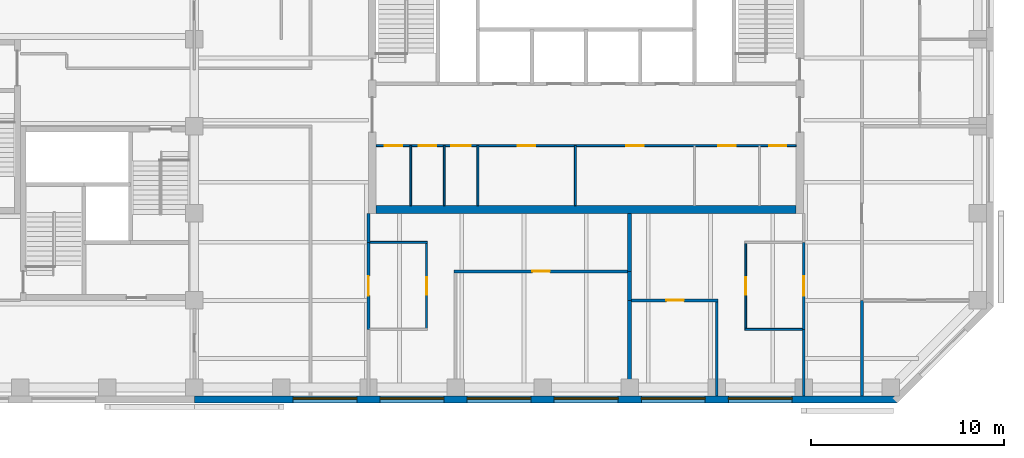
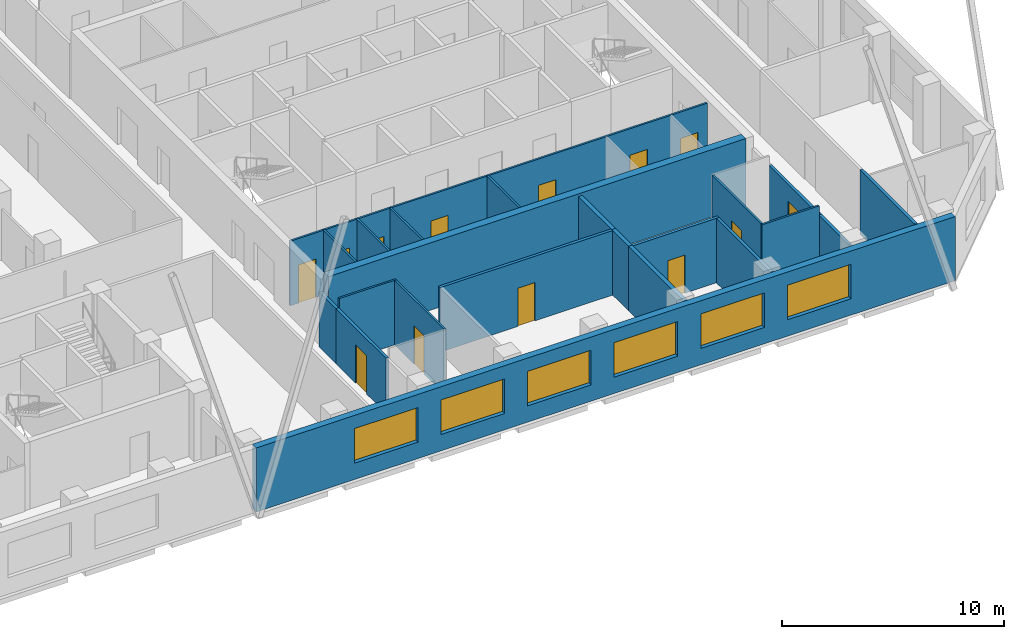
# One storey, part 4 of 9: 22 walls, 13 doors, 6 windows, 19 openings.
"""IFC4 building model written with IfcOpenShell, lengths in metres."""

from ifc_helpers import new_model, si_unit, direction, frame, frame_2d, origin, place, context, subcontext, project, spatial, rectangle, extrude, material, layer, layer_set, constituent, constituent_set, type_object, element, fill, save


model = new_model("IFC4")

# Units and contexts
model_context = context("Model", 3, precision=1e-05, world=origin(), true_north=direction((0.0, 1.0)))
body_context = subcontext(model_context, "Body", "Model", "MODEL_VIEW")
ifc_project = project(units=[si_unit("LENGTHUNIT", "METRE"), si_unit("AREAUNIT", "SQUARE_METRE"), si_unit("VOLUMEUNIT", "CUBIC_METRE"), si_unit("PLANEANGLEUNIT", "RADIAN"), si_unit("MASSUNIT", "GRAM", prefix="KILO")], contexts=[model_context])

# Site, building, storey
site_placement = place(None, origin())
site = spatial("IfcSite", under=ifc_project, at=site_placement, CompositionType="ELEMENT")
building_placement = place(site_placement, origin())
building = spatial("IfcBuilding", under=site, at=building_placement, Name="Quoin Convention Tower", CompositionType="ELEMENT")
storey_placement = place(building_placement, frame((0.0, 0.0, 219.300048828125)))
storey = spatial("IfcBuildingStorey", under=building, at=storey_placement, Name="L57", CompositionType="ELEMENT", Elevation=219.300048828125)

# Wall, opening, door
ifc_material_1 = material(Name="Plasterboard")
ifc_layer_1 = layer(ifc_material_1, 0.012451171875, Name="Finish")
ifc_material_2 = material(Name="Steel stud framing", Category="steel")
ifc_layer_2 = layer(ifc_material_2, 0.125, Name="Structure")
ifc_layer_3 = layer(ifc_material_1, 0.012451171875, Name="Finish")
ifc_layer_set_1 = layer_set([ifc_layer_1, ifc_layer_2, ifc_layer_3], Name="Steel stud framing")
wall_type_1 = type_object("IfcWallType", Name="Acoustic partition 150", PredefinedType="PARTITIONING", material=ifc_layer_set_1)
wall_1_placement = place(storey_placement, frame((58.60009765625, 45.0, 0.0), z_axis=(0.0, 0.0, 1.0), x_axis=(1.0, 0.0, 0.0)))
wall_1 = element("IfcWall", 1, at=wall_1_placement, inside=storey, type_object=wall_type_1, Name="pw-L57-005", PredefinedType="PARTITIONING", context=body_context, shape_type="SweptSolid", body=[
    extrude(rectangle(XDim=4.474853515625, YDim=0.14990234375, at=frame_2d((2.2373046875, 0.0))), origin(), (0.0, 0.0, 1.0), 3.550048828125),
])
opening_1_placement = place(wall_1_placement, frame((1.800048828125, 0.0, 0.0)))
opening_1 = element("IfcOpeningElement", 2, at=opening_1_placement, cuts=wall_1, Name="Opening DOH9-01", PredefinedType="OPENING", context=body_context, shape_type="SweptSolid", body=[
    extrude(rectangle(XDim=0.89990234375, YDim=2.10009765625, at=frame_2d((0.449951171875, 1.050048828125))), frame((0.0, 0.0849609375, 0.0), z_axis=(0.0, -1.0, 0.0), x_axis=(1.0, 0.0, 0.0)), (0.0, 0.0, 1.0), 0.169921875),
])
ifc_material_3 = material(Name="Steel door leaf", Category="steel")
door_type_1 = type_object("IfcDoorType", Name="Office door 900 x 2100", OperationType="SINGLE_SWING_RIGHT", PredefinedType="DOOR", material=ifc_material_3)
door_1_placement = place(opening_1_placement, origin())
door_1 = element("IfcDoor", 3, at=door_1_placement, inside=storey, type_object=door_type_1, Name="dr-L57-12", OperationType="SINGLE_SWING_RIGHT", OverallHeight=2.10009765625, OverallWidth=0.89990234375, PredefinedType="DOOR", context=body_context, shape_type="SweptSolid", body=[
    extrude(rectangle(XDim=0.89990234375, YDim=2.10009765625, at=frame_2d((0.449951171875, 1.050048828125))), frame((0.0, 0.02490234375, 0.0), z_axis=(0.0, -1.0, 0.0), x_axis=(1.0, 0.0, 0.0)), (0.0, 0.0, 1.0), 0.050048828125),
])
fill(opening_1, door_1)

wall_2_placement = place(storey_placement, frame((49.425048828125, 46.5, 0.0), z_axis=(0.0, 0.0, 1.0), x_axis=(1.0, 0.0, 0.0)))
wall_2 = element("IfcWall", 4, at=wall_2_placement, inside=storey, type_object=wall_type_1, Name="pw-L57-008", PredefinedType="PARTITIONING", context=body_context, shape_type="SweptSolid", body=[
    extrude(rectangle(XDim=8.974853515625, YDim=0.14990234375, at=frame_2d((4.4873046875, 0.0))), origin(), (0.0, 0.0, 1.0), 3.550048828125),
])
opening_2_placement = place(wall_2_placement, frame((4.050048828125, 0.0, 0.0)))
opening_2 = element("IfcOpeningElement", 5, at=opening_2_placement, cuts=wall_2, Name="Opening DOH9-03", PredefinedType="OPENING", context=body_context, shape_type="SweptSolid", body=[
    extrude(rectangle(XDim=0.89990234375, YDim=2.10009765625, at=frame_2d((0.449951171875, 1.050048828125))), frame((0.0, 0.0849609375, 0.0), z_axis=(0.0, -1.0, 0.0), x_axis=(1.0, 0.0, 0.0)), (0.0, 0.0, 1.0), 0.169921875),
])
door_2_placement = place(opening_2_placement, frame((0.89990234375, 0.0, 0.0), z_axis=(0.0, 0.0, 1.0), x_axis=(-1.0, 0.0, 0.0)))
door_2 = element("IfcDoor", 6, at=door_2_placement, inside=storey, type_object=door_type_1, Name="dr-L57-09", OperationType="SINGLE_SWING_RIGHT", OverallHeight=2.10009765625, OverallWidth=0.89990234375, PredefinedType="DOOR", context=body_context, shape_type="SweptSolid", body=[
    extrude(rectangle(XDim=0.89990234375, YDim=2.10009765625, at=frame_2d((0.449951171875, 1.050048828125))), frame((0.0, 0.02490234375, 0.0), z_axis=(0.0, -1.0, 0.0), x_axis=(1.0, 0.0, 0.0)), (0.0, 0.0, 1.0), 0.050048828125),
])
fill(opening_2, door_2)

# Wall
wall_3_placement = place(storey_placement, frame((63.0, 40.050048828125, 0.0), z_axis=(0.0, 0.0, 1.0), x_axis=(0.0, 1.0, 0.0)))
element("IfcWall", 7, at=wall_3_placement, inside=storey, type_object=wall_type_1, Name="pw-L57-030", PredefinedType="PARTITIONING", context=body_context, shape_type="SweptSolid", body=[
    extrude(rectangle(XDim=4.875, YDim=0.14990234375, at=frame_2d((2.4375, 0.0))), origin(), (0.0, 0.0, 1.0), 3.550048828125),
])

# Wall, openings, windows
ifc_material_4 = material(Name="Brick masonry", Category="masonry")
ifc_layer_4 = layer(ifc_material_4, 0.35009765625)
ifc_layer_set_2 = layer_set([ifc_layer_4], Name="Brick masonry")
wall_type_2 = type_object("IfcWallType", Name="Brick facade wall", PredefinedType="STANDARD", material=ifc_layer_set_2)
wall_4_placement = place(storey_placement, frame((36.0, 39.875, 0.0), z_axis=(0.0, 0.0, 1.0), x_axis=(1.0, 0.0, 0.0)))
wall_4 = element("IfcWall", 8, at=wall_4_placement, inside=storey, type_object=wall_type_2, Name="fw-L57-36000_40500", PredefinedType="STANDARD", context=body_context, shape_type="SweptSolid", body=[
    extrude(rectangle(XDim=36.331298828125, YDim=0.35009765625, at=frame_2d((18.16552734375, 0.0))), origin(), (0.0, 0.0, 1.0), 3.52490234375),
])
opening_3_placement = place(wall_4_placement, frame((5.10009765625, 0.0, 0.89990234375)))
opening_3 = element("IfcOpeningElement", 9, at=opening_3_placement, cuts=wall_4, Name="Opening W-02", PredefinedType="OPENING", context=body_context, shape_type="SweptSolid", body=[
    extrude(rectangle(XDim=3.300048828125, YDim=1.89990234375, at=frame_2d((1.64990234375, 0.949951171875))), frame((0.0, 0.18505859375, 0.0), z_axis=(0.0, -1.0, 0.0), x_axis=(1.0, 0.0, 0.0)), (0.0, 0.0, 1.0), 0.3701171875),
])
opening_4_placement = place(wall_4_placement, frame((9.60009765625, 0.0, 0.89990234375)))
opening_4 = element("IfcOpeningElement", 10, at=opening_4_placement, cuts=wall_4, Name="Opening W-02", PredefinedType="OPENING", context=body_context, shape_type="SweptSolid", body=[
    extrude(rectangle(XDim=3.300048828125, YDim=1.89990234375, at=frame_2d((1.64990234375, 0.949951171875))), frame((0.0, 0.18505859375, 0.0), z_axis=(0.0, -1.0, 0.0), x_axis=(1.0, 0.0, 0.0)), (0.0, 0.0, 1.0), 0.3701171875),
])
opening_5_placement = place(wall_4_placement, frame((14.10009765625, 0.0, 0.89990234375)))
opening_5 = element("IfcOpeningElement", 11, at=opening_5_placement, cuts=wall_4, Name="Opening W-02", PredefinedType="OPENING", context=body_context, shape_type="SweptSolid", body=[
    extrude(rectangle(XDim=3.300048828125, YDim=1.89990234375, at=frame_2d((1.64990234375, 0.949951171875))), frame((0.0, 0.18505859375, 0.0), z_axis=(0.0, -1.0, 0.0), x_axis=(1.0, 0.0, 0.0)), (0.0, 0.0, 1.0), 0.3701171875),
])
opening_6_placement = place(wall_4_placement, frame((18.60009765625, 0.0, 0.89990234375)))
opening_6 = element("IfcOpeningElement", 12, at=opening_6_placement, cuts=wall_4, Name="Opening W-02", PredefinedType="OPENING", context=body_context, shape_type="SweptSolid", body=[
    extrude(rectangle(XDim=3.300048828125, YDim=1.89990234375, at=frame_2d((1.64990234375, 0.949951171875))), frame((0.0, 0.18505859375, 0.0), z_axis=(0.0, -1.0, 0.0), x_axis=(1.0, 0.0, 0.0)), (0.0, 0.0, 1.0), 0.3701171875),
])
opening_7_placement = place(wall_4_placement, frame((23.10009765625, 0.0, 0.89990234375)))
opening_7 = element("IfcOpeningElement", 13, at=opening_7_placement, cuts=wall_4, Name="Opening W-02", PredefinedType="OPENING", context=body_context, shape_type="SweptSolid", body=[
    extrude(rectangle(XDim=3.300048828125, YDim=1.89990234375, at=frame_2d((1.64990234375, 0.949951171875))), frame((0.0, 0.18505859375, 0.0), z_axis=(0.0, -1.0, 0.0), x_axis=(1.0, 0.0, 0.0)), (0.0, 0.0, 1.0), 0.3701171875),
])
opening_8_placement = place(wall_4_placement, frame((27.60009765625, 0.0, 0.89990234375)))
opening_8 = element("IfcOpeningElement", 14, at=opening_8_placement, cuts=wall_4, Name="Opening W-02", PredefinedType="OPENING", context=body_context, shape_type="SweptSolid", body=[
    extrude(rectangle(XDim=3.300048828125, YDim=1.89990234375, at=frame_2d((1.64990234375, 0.949951171875))), frame((0.0, 0.18505859375, 0.0), z_axis=(0.0, -1.0, 0.0), x_axis=(1.0, 0.0, 0.0)), (0.0, 0.0, 1.0), 0.3701171875),
])
ifc_material_5 = material(Name="Aluminium", Category="aluminium")
ifc_constituent_1 = constituent(ifc_material_5, Name="Frame")
ifc_material_6 = material(Name="Insulated glass", Category="glass")
ifc_constituent_2 = constituent(ifc_material_6, Name="Glazing")
ifc_constituent_set = constituent_set(constituents=[ifc_constituent_1, ifc_constituent_2], Name="Aluminium")
window_type = type_object("IfcWindowType", Name="Office window", PartitioningType="DOUBLE_PANEL_VERTICAL", PredefinedType="WINDOW", material=ifc_constituent_set)
window_1_placement = place(opening_3_placement, origin())
window_1 = element("IfcWindow", 15, at=window_1_placement, inside=storey, type_object=window_type, Name="win-L57-42750_39875", OverallHeight=1.89990234375, OverallWidth=3.300048828125, PartitioningType="SINGLE_PANEL", PredefinedType="WINDOW", context=body_context, shape_type="SweptSolid", body=[
    extrude(rectangle(XDim=3.300048828125, YDim=1.89990234375, at=frame_2d((1.64990234375, 0.949951171875))), frame((0.0, 0.0849609375, 0.0), z_axis=(0.0, -1.0, 0.0), x_axis=(1.0, 0.0, 0.0)), (0.0, 0.0, 1.0), 0.06005859375),
])
fill(opening_3, window_1)
window_2_placement = place(opening_4_placement, origin())
window_2 = element("IfcWindow", 16, at=window_2_placement, inside=storey, type_object=window_type, Name="win-L57-47250_39875", OverallHeight=1.89990234375, OverallWidth=3.300048828125, PartitioningType="SINGLE_PANEL", PredefinedType="WINDOW", context=body_context, shape_type="SweptSolid", body=[
    extrude(rectangle(XDim=3.300048828125, YDim=1.89990234375, at=frame_2d((1.64990234375, 0.949951171875))), frame((0.0, 0.0849609375, 0.0), z_axis=(0.0, -1.0, 0.0), x_axis=(1.0, 0.0, 0.0)), (0.0, 0.0, 1.0), 0.06005859375),
])
fill(opening_4, window_2)
window_3_placement = place(opening_5_placement, origin())
window_3 = element("IfcWindow", 17, at=window_3_placement, inside=storey, type_object=window_type, Name="win-L57-51750_39875", OverallHeight=1.89990234375, OverallWidth=3.300048828125, PartitioningType="SINGLE_PANEL", PredefinedType="WINDOW", context=body_context, shape_type="SweptSolid", body=[
    extrude(rectangle(XDim=3.300048828125, YDim=1.89990234375, at=frame_2d((1.64990234375, 0.949951171875))), frame((0.0, 0.0849609375, 0.0), z_axis=(0.0, -1.0, 0.0), x_axis=(1.0, 0.0, 0.0)), (0.0, 0.0, 1.0), 0.06005859375),
])
fill(opening_5, window_3)
window_4_placement = place(opening_6_placement, origin())
window_4 = element("IfcWindow", 18, at=window_4_placement, inside=storey, type_object=window_type, Name="win-L57-56250_39875", OverallHeight=1.89990234375, OverallWidth=3.300048828125, PartitioningType="SINGLE_PANEL", PredefinedType="WINDOW", context=body_context, shape_type="SweptSolid", body=[
    extrude(rectangle(XDim=3.300048828125, YDim=1.89990234375, at=frame_2d((1.64990234375, 0.949951171875))), frame((0.0, 0.0849609375, 0.0), z_axis=(0.0, -1.0, 0.0), x_axis=(1.0, 0.0, 0.0)), (0.0, 0.0, 1.0), 0.06005859375),
])
fill(opening_6, window_4)
window_5_placement = place(opening_7_placement, origin())
window_5 = element("IfcWindow", 19, at=window_5_placement, inside=storey, type_object=window_type, Name="win-L57-60750_39875", OverallHeight=1.89990234375, OverallWidth=3.300048828125, PartitioningType="SINGLE_PANEL", PredefinedType="WINDOW", context=body_context, shape_type="SweptSolid", body=[
    extrude(rectangle(XDim=3.300048828125, YDim=1.89990234375, at=frame_2d((1.64990234375, 0.949951171875))), frame((0.0, 0.0849609375, 0.0), z_axis=(0.0, -1.0, 0.0), x_axis=(1.0, 0.0, 0.0)), (0.0, 0.0, 1.0), 0.06005859375),
])
fill(opening_7, window_5)
window_6_placement = place(opening_8_placement, origin())
window_6 = element("IfcWindow", 20, at=window_6_placement, inside=storey, type_object=window_type, Name="win-L57-65250_39875", OverallHeight=1.89990234375, OverallWidth=3.300048828125, PartitioningType="SINGLE_PANEL", PredefinedType="WINDOW", context=body_context, shape_type="SweptSolid", body=[
    extrude(rectangle(XDim=3.300048828125, YDim=1.89990234375, at=frame_2d((1.64990234375, 0.949951171875))), frame((0.0, 0.0849609375, 0.0), z_axis=(0.0, -1.0, 0.0), x_axis=(1.0, 0.0, 0.0)), (0.0, 0.0, 1.0), 0.06005859375),
])
fill(opening_8, window_6)

# Wall, openings, doors
ifc_layer_5 = layer(ifc_material_1, 0.012451171875, Name="Finish")
ifc_layer_6 = layer(ifc_material_2, 0.074951171875, Name="Structure")
ifc_layer_7 = layer(ifc_material_1, 0.012451171875, Name="Finish")
ifc_layer_set_3 = layer_set([ifc_layer_5, ifc_layer_6, ifc_layer_7], Name="Steel stud framing")
wall_type_3 = type_object("IfcWallType", Name="Core partition wall", PredefinedType="PARTITIONING", material=ifc_layer_set_3)
wall_5_placement = place(storey_placement, frame((45.39990234375, 53.0, 0.0), z_axis=(0.0, 0.0, 1.0), x_axis=(1.0, 0.0, 0.0)))
wall_5 = element("IfcWall", 21, at=wall_5_placement, inside=storey, type_object=wall_type_3, Name="cr-C1-L57-h3500_400", PredefinedType="PARTITIONING", context=body_context, shape_type="SweptSolid", body=[
    extrude(rectangle(XDim=21.7001953125, YDim=0.10009765625, at=frame_2d((10.85009765625, 0.0))), origin(), (0.0, 0.0, 1.0), 3.550048828125),
])
opening_9_placement = place(wall_5_placement, frame((20.304931640625, 0.0, 0.0)))
opening_9 = element("IfcOpeningElement", 22, at=opening_9_placement, cuts=wall_5, Name="Opening DCV1-36", PredefinedType="OPENING", context=body_context, shape_type="SweptSolid", body=[
    extrude(rectangle(XDim=0.89990234375, YDim=2.10009765625, at=frame_2d((0.449951171875, 1.050048828125))), frame((0.0, 0.06005859375, 0.0), z_axis=(0.0, -1.0, 0.0), x_axis=(1.0, 0.0, 0.0)), (0.0, 0.0, 1.0), 0.1201171875),
])
opening_10_placement = place(wall_5_placement, frame((17.679931640625, 0.0, 0.0)))
opening_10 = element("IfcOpeningElement", 23, at=opening_10_placement, cuts=wall_5, Name="Opening DCV1-35", PredefinedType="OPENING", context=body_context, shape_type="SweptSolid", body=[
    extrude(rectangle(XDim=0.89990234375, YDim=2.10009765625, at=frame_2d((0.449951171875, 1.050048828125))), frame((0.0, 0.06005859375, 0.0), z_axis=(0.0, -1.0, 0.0), x_axis=(1.0, 0.0, 0.0)), (0.0, 0.0, 1.0), 0.1201171875),
])
opening_11_placement = place(wall_5_placement, frame((0.4423828125, 0.0, 0.0)))
opening_11 = element("IfcOpeningElement", 24, at=opening_11_placement, cuts=wall_5, Name="Opening DCV1-27", PredefinedType="OPENING", context=body_context, shape_type="SweptSolid", body=[
    extrude(rectangle(XDim=0.89990234375, YDim=2.10009765625, at=frame_2d((0.449951171875, 1.050048828125))), frame((0.0, 0.06005859375, 0.0), z_axis=(0.0, -1.0, 0.0), x_axis=(1.0, 0.0, 0.0)), (0.0, 0.0, 1.0), 0.1201171875),
])
opening_12_placement = place(wall_5_placement, frame((2.201416015625, 0.0, 0.0)))
opening_12 = element("IfcOpeningElement", 25, at=opening_12_placement, cuts=wall_5, Name="Opening DCV1-28", PredefinedType="OPENING", context=body_context, shape_type="SweptSolid", body=[
    extrude(rectangle(XDim=0.89990234375, YDim=2.10009765625, at=frame_2d((0.449951171875, 1.050048828125))), frame((0.0, 0.06005859375, 0.0), z_axis=(0.0, -1.0, 0.0), x_axis=(1.0, 0.0, 0.0)), (0.0, 0.0, 1.0), 0.1201171875),
])
opening_13_placement = place(wall_5_placement, frame((3.8837890625, 0.0, 0.0)))
opening_13 = element("IfcOpeningElement", 26, at=opening_13_placement, cuts=wall_5, Name="Opening DCV1-29", PredefinedType="OPENING", context=body_context, shape_type="SweptSolid", body=[
    extrude(rectangle(XDim=1.0, YDim=2.10009765625, at=frame_2d((0.5, 1.050048828125))), frame((0.0, 0.06005859375, 0.0), z_axis=(0.0, -1.0, 0.0), x_axis=(1.0, 0.0, 0.0)), (0.0, 0.0, 1.0), 0.1201171875),
])
opening_14_placement = place(wall_5_placement, frame((7.320068359375, 0.0, 0.0)))
opening_14 = element("IfcOpeningElement", 27, at=opening_14_placement, cuts=wall_5, Name="Opening DCV1-31", PredefinedType="OPENING", context=body_context, shape_type="SweptSolid", body=[
    extrude(rectangle(XDim=0.89990234375, YDim=2.10009765625, at=frame_2d((0.449951171875, 1.050048828125))), frame((0.0, 0.06005859375, 0.0), z_axis=(0.0, -1.0, 0.0), x_axis=(1.0, 0.0, 0.0)), (0.0, 0.0, 1.0), 0.1201171875),
])
opening_15_placement = place(wall_5_placement, frame((12.919921875, 0.0, 0.0)))
opening_15 = element("IfcOpeningElement", 28, at=opening_15_placement, cuts=wall_5, Name="Opening DCV1-33", PredefinedType="OPENING", context=body_context, shape_type="SweptSolid", body=[
    extrude(rectangle(XDim=0.89990234375, YDim=2.10009765625, at=frame_2d((0.449951171875, 1.050048828125))), frame((0.0, 0.06005859375, 0.0), z_axis=(0.0, -1.0, 0.0), x_axis=(1.0, 0.0, 0.0)), (0.0, 0.0, 1.0), 0.1201171875),
])
door_type_2 = type_object("IfcDoorType", Name="Core room door 1000 x 2100", OperationType="SINGLE_SWING_LEFT", PredefinedType="DOOR", material=ifc_material_3)
door_3_placement = place(opening_13_placement, frame((1.0, 0.0, 0.0), z_axis=(0.0, 0.0, 1.0), x_axis=(-1.0, 0.0, 0.0)))
door_3 = element("IfcDoor", 29, at=door_3_placement, inside=storey, type_object=door_type_2, Name="cd-C1-L57-CSW2-lobA-CD5714", OperationType="SINGLE_SWING_LEFT", OverallHeight=2.10009765625, OverallWidth=1.0, PredefinedType="DOOR", context=body_context, shape_type="SweptSolid", body=[
    extrude(rectangle(XDim=1.0, YDim=2.10009765625, at=frame_2d((0.5, 1.050048828125))), frame((0.0, 0.02490234375, 0.0), z_axis=(0.0, -1.0, 0.0), x_axis=(1.0, 0.0, 0.0)), (0.0, 0.0, 1.0), 0.050048828125),
])
fill(opening_13, door_3)
door_type_3 = type_object("IfcDoorType", Name="Core room door 900 x 2100", OperationType="SINGLE_SWING_LEFT", PredefinedType="DOOR", material=ifc_material_3)
door_4_placement = place(opening_9_placement, frame((0.89990234375, 0.0, 0.0), z_axis=(0.0, 0.0, 1.0), x_axis=(-1.0, 0.0, 0.0)))
door_4 = element("IfcDoor", 30, at=door_4_placement, inside=storey, type_object=door_type_3, Name="cd-C1-L57-CSE0-lobA-CD5710", OperationType="SINGLE_SWING_LEFT", OverallHeight=2.10009765625, OverallWidth=0.89990234375, PredefinedType="DOOR", context=body_context, shape_type="SweptSolid", body=[
    extrude(rectangle(XDim=0.89990234375, YDim=2.10009765625, at=frame_2d((0.449951171875, 1.050048828125))), frame((0.0, 0.02490234375, 0.0), z_axis=(0.0, -1.0, 0.0), x_axis=(1.0, 0.0, 0.0)), (0.0, 0.0, 1.0), 0.050048828125),
])
fill(opening_9, door_4)
door_5_placement = place(opening_10_placement, frame((0.89990234375, 0.0, 0.0), z_axis=(0.0, 0.0, 1.0), x_axis=(-1.0, 0.0, 0.0)))
door_5 = element("IfcDoor", 31, at=door_5_placement, inside=storey, type_object=door_type_3, Name="cd-C1-L57-CSE1-lobA-CD5711", OperationType="SINGLE_SWING_LEFT", OverallHeight=2.10009765625, OverallWidth=0.89990234375, PredefinedType="DOOR", context=body_context, shape_type="SweptSolid", body=[
    extrude(rectangle(XDim=0.89990234375, YDim=2.10009765625, at=frame_2d((0.449951171875, 1.050048828125))), frame((0.0, 0.02490234375, 0.0), z_axis=(0.0, -1.0, 0.0), x_axis=(1.0, 0.0, 0.0)), (0.0, 0.0, 1.0), 0.050048828125),
])
fill(opening_10, door_5)
door_6_placement = place(opening_11_placement, frame((0.89990234375, 0.0, 0.0), z_axis=(0.0, 0.0, 1.0), x_axis=(-1.0, 0.0, 0.0)))
door_6 = element("IfcDoor", 32, at=door_6_placement, inside=storey, type_object=door_type_3, Name="cd-C1-L57-CSW0-lobA-CD5712", OperationType="SINGLE_SWING_LEFT", OverallHeight=2.10009765625, OverallWidth=0.89990234375, PredefinedType="DOOR", context=body_context, shape_type="SweptSolid", body=[
    extrude(rectangle(XDim=0.89990234375, YDim=2.10009765625, at=frame_2d((0.449951171875, 1.050048828125))), frame((0.0, 0.02490234375, 0.0), z_axis=(0.0, -1.0, 0.0), x_axis=(1.0, 0.0, 0.0)), (0.0, 0.0, 1.0), 0.050048828125),
])
fill(opening_11, door_6)
door_7_placement = place(opening_12_placement, frame((0.89990234375, 0.0, 0.0), z_axis=(0.0, 0.0, 1.0), x_axis=(-1.0, 0.0, 0.0)))
door_7 = element("IfcDoor", 33, at=door_7_placement, inside=storey, type_object=door_type_3, Name="cd-C1-L57-CSW1-lobA-CD5713", OperationType="SINGLE_SWING_LEFT", OverallHeight=2.10009765625, OverallWidth=0.89990234375, PredefinedType="DOOR", context=body_context, shape_type="SweptSolid", body=[
    extrude(rectangle(XDim=0.89990234375, YDim=2.10009765625, at=frame_2d((0.449951171875, 1.050048828125))), frame((0.0, 0.02490234375, 0.0), z_axis=(0.0, -1.0, 0.0), x_axis=(1.0, 0.0, 0.0)), (0.0, 0.0, 1.0), 0.050048828125),
])
fill(opening_12, door_7)
door_8_placement = place(opening_14_placement, frame((0.89990234375, 0.0, 0.0), z_axis=(0.0, 0.0, 1.0), x_axis=(-1.0, 0.0, 0.0)))
door_8 = element("IfcDoor", 34, at=door_8_placement, inside=storey, type_object=door_type_3, Name="cd-C1-L57-F10-lobA-CD5715", OperationType="SINGLE_SWING_LEFT", OverallHeight=2.10009765625, OverallWidth=0.89990234375, PredefinedType="DOOR", context=body_context, shape_type="SweptSolid", body=[
    extrude(rectangle(XDim=0.89990234375, YDim=2.10009765625, at=frame_2d((0.449951171875, 1.050048828125))), frame((0.0, 0.02490234375, 0.0), z_axis=(0.0, -1.0, 0.0), x_axis=(1.0, 0.0, 0.0)), (0.0, 0.0, 1.0), 0.050048828125),
])
fill(opening_14, door_8)
door_9_placement = place(opening_15_placement, frame((0.89990234375, 0.0, 0.0), z_axis=(0.0, 0.0, 1.0), x_axis=(-1.0, 0.0, 0.0)))
door_9 = element("IfcDoor", 35, at=door_9_placement, inside=storey, type_object=door_type_3, Name="cd-C1-L57-F11-lobA-CD5716", OperationType="SINGLE_SWING_LEFT", OverallHeight=2.10009765625, OverallWidth=0.89990234375, PredefinedType="DOOR", context=body_context, shape_type="SweptSolid", body=[
    extrude(rectangle(XDim=0.89990234375, YDim=2.10009765625, at=frame_2d((0.449951171875, 1.050048828125))), frame((0.0, 0.02490234375, 0.0), z_axis=(0.0, -1.0, 0.0), x_axis=(1.0, 0.0, 0.0)), (0.0, 0.0, 1.0), 0.050048828125),
])
fill(opening_15, door_9)

# Walls
for number, where, z_axis, x_axis, name in (
    (36, (47.18505859375, 49.89990234375, 0.0), (0.0, 0.0, 1.0), (0.0, 1.0, 0.0), "cr-C1-L57-v2185_400"),
    (37, (48.91748046875, 49.89990234375, 0.0), (0.0, 0.0, 1.0), (0.0, 1.0, 0.0), "cr-C1-L57-v3918_400"),
    (38, (50.64990234375, 49.89990234375, 0.0), (0.0, 0.0, 1.0), (0.0, 1.0, 0.0), "cr-C1-L57-v5650_400"),
    (39, (55.68994140625, 49.89990234375, 0.0), (0.0, 0.0, 1.0), (0.0, 1.0, 0.0), "cr-C1-L57-v10690_400"),
):
    element("IfcWall", number, at=place(storey_placement, frame(where, z_axis=z_axis, x_axis=x_axis)), inside=storey, type_object=wall_type_3, Name=name, PredefinedType="PARTITIONING", context=body_context, shape_type="SweptSolid", body=[
        extrude(rectangle(XDim=3.10009765625, YDim=0.10009765625, at=frame_2d((1.550048828125, 0.0))), origin(), (0.0, 0.0, 1.0), 3.550048828125),
    ])
ifc_layer_8 = layer(ifc_material_1, 0.012451171875, Name="Finish")
ifc_layer_9 = layer(ifc_material_2, 0.125, Name="Structure")
ifc_layer_10 = layer(ifc_material_1, 0.012451171875, Name="Finish")
ifc_layer_set_4 = layer_set([ifc_layer_8, ifc_layer_9, ifc_layer_10], Name="Steel stud framing")
wall_type_4 = type_object("IfcWallType", Name="Corridor wall 150", PredefinedType="PARTITIONING", material=ifc_layer_set_4)
wall_6_placement = place(storey_placement, frame((70.5, 40.050048828125, 0.0), z_axis=(0.0, 0.0, 1.0), x_axis=(0.0, 1.0, 0.0)))
element("IfcWall", 40, at=wall_6_placement, inside=storey, type_object=wall_type_4, Name="pw-L57-032", PredefinedType="PARTITIONING", context=body_context, shape_type="SweptSolid", body=[
    extrude(rectangle(XDim=4.949951171875, YDim=0.14990234375, at=frame_2d((2.47509765625, 0.0))), origin(), (0.0, 0.0, 1.0), 3.550048828125),
])
ifc_layer_11 = layer(ifc_material_1, 0.012451171875, Name="Finish")
ifc_layer_12 = layer(ifc_material_2, 0.125, Name="Structure")
ifc_layer_13 = layer(ifc_material_1, 0.012451171875, Name="Finish")
ifc_layer_set_5 = layer_set([ifc_layer_11, ifc_layer_12, ifc_layer_13], Name="Steel stud framing")
wall_type_5 = type_object("IfcWallType", Name="Corridor wall 150 under beam 528", PredefinedType="PARTITIONING", material=ifc_layer_set_5)
wall_7_placement = place(storey_placement, frame((67.5, 40.050048828125, 0.0), z_axis=(0.0, 0.0, 1.0), x_axis=(0.0, 1.0, 0.0)))
element("IfcWall", 41, at=wall_7_placement, inside=storey, type_object=wall_type_5, Name="pw-L57-031", PredefinedType="PARTITIONING", context=body_context, shape_type="SweptSolid", body=[
    extrude(rectangle(XDim=3.449951171875, YDim=0.14990234375, at=frame_2d((1.72509765625, 0.0))), origin(), (0.0, 0.0, 1.0), 3.02197265625),
])

# Wall, opening, door
wall_8_placement = place(storey_placement, frame((45.0, 43.5, 0.0), z_axis=(0.0, 0.0, 1.0), x_axis=(0.0, 1.0, 0.0)))
wall_8 = element("IfcWall", 42, at=wall_8_placement, inside=storey, type_object=wall_type_5, Name="pw-L57-034", PredefinedType="PARTITIONING", context=body_context, shape_type="SweptSolid", body=[
    extrude(rectangle(XDim=4.5, YDim=0.14990234375, at=frame_2d((2.25, 0.0))), origin(), (0.0, 0.0, 1.0), 3.02197265625),
])
opening_16_placement = place(wall_8_placement, frame((1.75, 0.0, 0.0)))
opening_16 = element("IfcOpeningElement", 43, at=opening_16_placement, cuts=wall_8, Name="Opening DOH9-10", PredefinedType="OPENING", context=body_context, shape_type="SweptSolid", body=[
    extrude(rectangle(XDim=1.0, YDim=2.10009765625, at=frame_2d((0.5, 1.050048828125))), frame((0.0, 0.0849609375, 0.0), z_axis=(0.0, -1.0, 0.0), x_axis=(1.0, 0.0, 0.0)), (0.0, 0.0, 1.0), 0.169921875),
])
door_type_4 = type_object("IfcDoorType", Name="Tenancy entrance door 1000 x 2100", OperationType="DOUBLE_DOOR_SINGLE_SWING", PredefinedType="DOOR", material=ifc_material_3)
door_10_placement = place(opening_16_placement, origin())
door_10 = element("IfcDoor", 44, at=door_10_placement, inside=storey, type_object=door_type_4, Name="dr-L57-07", OperationType="DOUBLE_DOOR_SINGLE_SWING", OverallHeight=2.10009765625, OverallWidth=1.0, PredefinedType="DOOR", context=body_context, shape_type="SweptSolid", body=[
    extrude(rectangle(XDim=1.0, YDim=2.10009765625, at=frame_2d((0.5, 1.050048828125))), frame((0.0, 0.02490234375, 0.0), z_axis=(0.0, -1.0, 0.0), x_axis=(1.0, 0.0, 0.0)), (0.0, 0.0, 1.0), 0.050048828125),
])
fill(opening_16, door_10)

wall_9_placement = place(storey_placement, frame((67.5, 43.5, 0.0), z_axis=(0.0, 0.0, 1.0), x_axis=(0.0, 1.0, 0.0)))
wall_9 = element("IfcWall", 45, at=wall_9_placement, inside=storey, type_object=wall_type_5, Name="pw-L57-035", PredefinedType="PARTITIONING", context=body_context, shape_type="SweptSolid", body=[
    extrude(rectangle(XDim=4.5, YDim=0.14990234375, at=frame_2d((2.25, 0.0))), origin(), (0.0, 0.0, 1.0), 3.02197265625),
])
opening_17_placement = place(wall_9_placement, frame((1.75, 0.0, 0.0)))
opening_17 = element("IfcOpeningElement", 46, at=opening_17_placement, cuts=wall_9, Name="Opening DOH9-11", PredefinedType="OPENING", context=body_context, shape_type="SweptSolid", body=[
    extrude(rectangle(XDim=1.0, YDim=2.10009765625, at=frame_2d((0.5, 1.050048828125))), frame((0.0, 0.0849609375, 0.0), z_axis=(0.0, -1.0, 0.0), x_axis=(1.0, 0.0, 0.0)), (0.0, 0.0, 1.0), 0.169921875),
])
door_11_placement = place(opening_17_placement, frame((1.0, 0.0, 0.0), z_axis=(0.0, 0.0, 1.0), x_axis=(-1.0, 0.0, 0.0)))
door_11 = element("IfcDoor", 47, at=door_11_placement, inside=storey, type_object=door_type_4, Name="dr-L57-10", OperationType="DOUBLE_DOOR_SINGLE_SWING", OverallHeight=2.10009765625, OverallWidth=1.0, PredefinedType="DOOR", context=body_context, shape_type="SweptSolid", body=[
    extrude(rectangle(XDim=1.0, YDim=2.10009765625, at=frame_2d((0.5, 1.050048828125))), frame((0.0, 0.02490234375, 0.0), z_axis=(0.0, -1.0, 0.0), x_axis=(1.0, 0.0, 0.0)), (0.0, 0.0, 1.0), 0.050048828125),
])
fill(opening_17, door_11)

# Walls
wall_10_placement = place(storey_placement, frame((45.0, 48.0, 0.0), z_axis=(0.0, 0.0, 1.0), x_axis=(0.0, 1.0, 0.0)))
element("IfcWall", 48, at=wall_10_placement, inside=storey, type_object=wall_type_5, Name="pw-L57-045", PredefinedType="PARTITIONING", context=body_context, shape_type="SweptSolid", body=[
    extrude(rectangle(XDim=1.5, YDim=0.14990234375, at=frame_2d((0.75, 0.0))), origin(), (0.0, 0.0, 1.0), 3.02197265625),
])
ifc_material_7 = material(Name="Concrete C50", Category="concrete")
ifc_layer_14 = layer(ifc_material_7, 0.39990234375)
ifc_layer_set_6 = layer_set([ifc_layer_14], Name="Concrete C50")
wall_type_6 = type_object("IfcWallType", Name="RC CORE WALL 400 C50", PredefinedType="SHEAR", material=ifc_layer_set_6)
wall_11_placement = place(storey_placement, frame((45.39990234375, 49.699951171875, 0.0), z_axis=(0.0, 0.0, 1.0), x_axis=(1.0, 0.0, 0.0)))
element("IfcWall", 49, at=wall_11_placement, inside=storey, type_object=wall_type_6, Name="cwl-C1-L57-S", PredefinedType="SHEAR", context=body_context, shape_type="SweptSolid", body=[
    extrude(rectangle(XDim=21.7001953125, YDim=0.39990234375, at=frame_2d((10.85009765625, 0.0))), origin(), (0.0, 0.0, 1.0), 3.699951171875),
])
ifc_layer_15 = layer(ifc_material_1, 0.012451171875, Name="Finish")
ifc_layer_16 = layer(ifc_material_2, 0.074951171875, Name="Structure")
ifc_layer_17 = layer(ifc_material_1, 0.012451171875, Name="Finish")
ifc_layer_set_7 = layer_set([ifc_layer_15, ifc_layer_16, ifc_layer_17], Name="Steel stud framing")
wall_type_7 = type_object("IfcWallType", Name="Stud partition 100", PredefinedType="PARTITIONING", material=ifc_layer_set_7)
for number, where, z_axis, x_axis, name in (
    (50, (64.449951171875, 43.5, 0.0), (0.0, 0.0, 1.0), (1.0, 0.0, 0.0), "pw-L57-002"),
    (51, (45.074951171875, 48.0, 0.0), (0.0, 0.0, 1.0), (1.0, 0.0, 0.0), "pw-L57-009"),
):
    element("IfcWall", number, at=place(storey_placement, frame(where, z_axis=z_axis, x_axis=x_axis)), inside=storey, type_object=wall_type_7, Name=name, PredefinedType="PARTITIONING", context=body_context, shape_type="SweptSolid", body=[
        extrude(rectangle(XDim=2.97509765625, YDim=0.10009765625, at=frame_2d((1.487548828125, 0.0))), origin(), (0.0, 0.0, 1.0), 3.550048828125),
    ])

# Wall, opening, door
wall_12_placement = place(storey_placement, frame((48.0, 43.550048828125, 0.0), z_axis=(0.0, 0.0, 1.0), x_axis=(0.0, 1.0, 0.0)))
wall_12 = element("IfcWall", 52, at=wall_12_placement, inside=storey, type_object=wall_type_7, Name="pw-L57-036", PredefinedType="PARTITIONING", context=body_context, shape_type="SweptSolid", body=[
    extrude(rectangle(XDim=4.39990234375, YDim=0.10009765625, at=frame_2d((2.199951171875, 0.0))), origin(), (0.0, 0.0, 1.0), 3.550048828125),
])
opening_18_placement = place(wall_12_placement, frame((1.75, 0.0, 0.0)))
opening_18 = element("IfcOpeningElement", 53, at=opening_18_placement, cuts=wall_12, Name="Opening DOH9-12", PredefinedType="OPENING", context=body_context, shape_type="SweptSolid", body=[
    extrude(rectangle(XDim=0.89990234375, YDim=2.10009765625, at=frame_2d((0.449951171875, 1.050048828125))), frame((0.0, 0.06005859375, 0.0), z_axis=(0.0, -1.0, 0.0), x_axis=(1.0, 0.0, 0.0)), (0.0, 0.0, 1.0), 0.1201171875),
])
door_12_placement = place(opening_18_placement, frame((0.89990234375, 0.0, 0.0), z_axis=(0.0, 0.0, 1.0), x_axis=(-1.0, 0.0, 0.0)))
door_12 = element("IfcDoor", 54, at=door_12_placement, inside=storey, type_object=door_type_1, Name="dr-L57-08", OperationType="SINGLE_SWING_LEFT", OverallHeight=2.10009765625, OverallWidth=0.89990234375, PredefinedType="DOOR", context=body_context, shape_type="SweptSolid", body=[
    extrude(rectangle(XDim=0.89990234375, YDim=2.10009765625, at=frame_2d((0.449951171875, 1.050048828125))), frame((0.0, 0.02490234375, 0.0), z_axis=(0.0, -1.0, 0.0), x_axis=(1.0, 0.0, 0.0)), (0.0, 0.0, 1.0), 0.050048828125),
])
fill(opening_18, door_12)

wall_13_placement = place(storey_placement, frame((64.5, 43.550048828125, 0.0), z_axis=(0.0, 0.0, 1.0), x_axis=(0.0, 1.0, 0.0)))
wall_13 = element("IfcWall", 55, at=wall_13_placement, inside=storey, type_object=wall_type_7, Name="pw-L57-037", PredefinedType="PARTITIONING", context=body_context, shape_type="SweptSolid", body=[
    extrude(rectangle(XDim=4.39990234375, YDim=0.10009765625, at=frame_2d((2.199951171875, 0.0))), origin(), (0.0, 0.0, 1.0), 3.550048828125),
])
opening_19_placement = place(wall_13_placement, frame((1.75, 0.0, 0.0)))
opening_19 = element("IfcOpeningElement", 56, at=opening_19_placement, cuts=wall_13, Name="Opening DOH9-13", PredefinedType="OPENING", context=body_context, shape_type="SweptSolid", body=[
    extrude(rectangle(XDim=0.89990234375, YDim=2.10009765625, at=frame_2d((0.449951171875, 1.050048828125))), frame((0.0, 0.06005859375, 0.0), z_axis=(0.0, -1.0, 0.0), x_axis=(1.0, 0.0, 0.0)), (0.0, 0.0, 1.0), 0.1201171875),
])
door_13_placement = place(opening_19_placement, origin())
door_13 = element("IfcDoor", 57, at=door_13_placement, inside=storey, type_object=door_type_1, Name="dr-L57-11", OperationType="SINGLE_SWING_RIGHT", OverallHeight=2.10009765625, OverallWidth=0.89990234375, PredefinedType="DOOR", context=body_context, shape_type="SweptSolid", body=[
    extrude(rectangle(XDim=0.89990234375, YDim=2.10009765625, at=frame_2d((0.449951171875, 1.050048828125))), frame((0.0, 0.02490234375, 0.0), z_axis=(0.0, -1.0, 0.0), x_axis=(1.0, 0.0, 0.0)), (0.0, 0.0, 1.0), 0.050048828125),
])
fill(opening_19, door_13)

# Walls
ifc_layer_18 = layer(ifc_material_1, 0.012451171875, Name="Finish")
ifc_layer_19 = layer(ifc_material_2, 0.175048828125, Name="Structure")
ifc_layer_20 = layer(ifc_material_1, 0.012451171875, Name="Finish")
ifc_layer_set_8 = layer_set([ifc_layer_18, ifc_layer_19, ifc_layer_20], Name="Steel stud framing")
wall_type_8 = type_object("IfcWallType", Name="Tenancy demising wall 200", PredefinedType="PARTITIONING", material=ifc_layer_set_8)
wall_14_placement = place(storey_placement, frame((58.5, 40.050048828125, 0.0), z_axis=(0.0, 0.0, 1.0), x_axis=(0.0, 1.0, 0.0)))
element("IfcWall", 58, at=wall_14_placement, inside=storey, type_object=wall_type_8, Name="pw-L57-029", PredefinedType="PARTITIONING", context=body_context, shape_type="SweptSolid", body=[
    extrude(rectangle(XDim=4.949951171875, YDim=0.199951171875, at=frame_2d((2.47509765625, 0.0))), origin(), (0.0, 0.0, 1.0), 3.550048828125),
])
wall_15_placement = place(storey_placement, frame((58.5, 45.0, 0.0), z_axis=(0.0, 0.0, 1.0), x_axis=(0.0, 1.0, 0.0)))
element("IfcWall", 59, at=wall_15_placement, inside=storey, type_object=wall_type_8, Name="pw-L57-039", PredefinedType="PARTITIONING", context=body_context, shape_type="SweptSolid", body=[
    extrude(rectangle(XDim=1.5, YDim=0.199951171875, at=frame_2d((0.75, 0.0))), origin(), (0.0, 0.0, 1.0), 3.550048828125),
])
wall_16_placement = place(storey_placement, frame((58.5, 46.5, 0.0), z_axis=(0.0, 0.0, 1.0), x_axis=(0.0, 1.0, 0.0)))
element("IfcWall", 60, at=wall_16_placement, inside=storey, type_object=wall_type_8, Name="pw-L57-043", PredefinedType="PARTITIONING", context=body_context, shape_type="SweptSolid", body=[
    extrude(rectangle(XDim=3.0, YDim=0.199951171875, at=frame_2d((1.5, 0.0))), origin(), (0.0, 0.0, 1.0), 3.550048828125),
])

save(model, "model.ifc")
